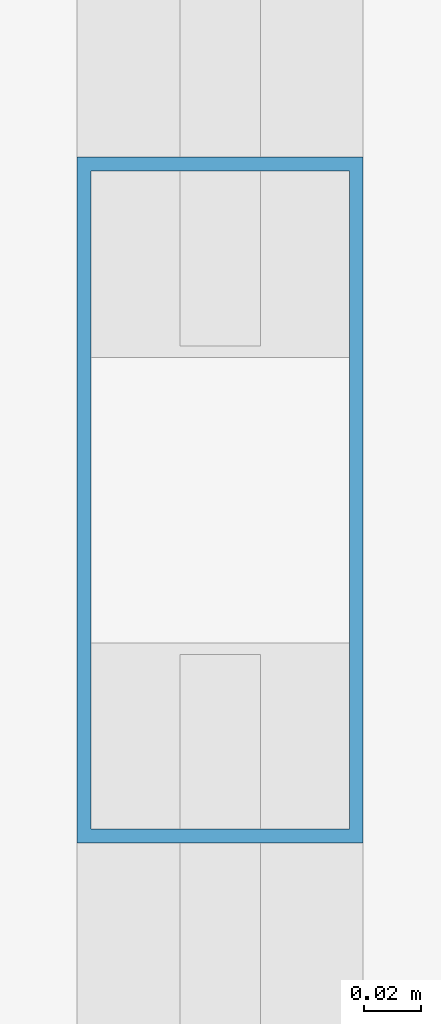
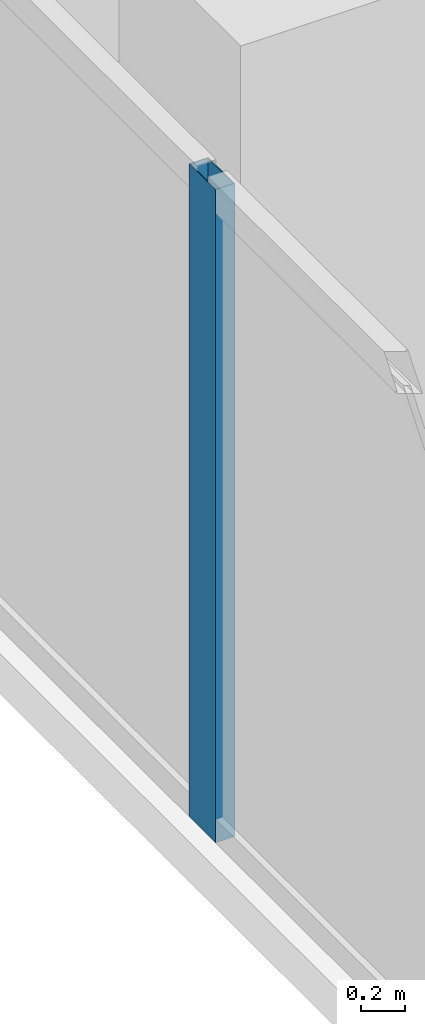
# One storey, part 8 of 27: 1 member, 1 element without a shape of its own.
"""IFC4 building model written with IfcOpenShell, lengths in metres."""

from ifc_helpers import new_model, si_unit, direction, frame, origin, origin_2d, place, context, subcontext, project, spatial, hollow_rectangle, extrude, material, layer, layer_set, material_profile, profile_set, type_object, element, aggregate, save


model = new_model("IFC4")

# Units and contexts
model_context = context("Model", 3, precision=1e-05, world=origin(), true_north=direction((0.0, 1.0)))
body_context = subcontext(model_context, "Body", "Model", "MODEL_VIEW")
ifc_project = project(units=[si_unit("LENGTHUNIT", "METRE"), si_unit("AREAUNIT", "SQUARE_METRE"), si_unit("VOLUMEUNIT", "CUBIC_METRE"), si_unit("PLANEANGLEUNIT", "RADIAN"), si_unit("MASSUNIT", "GRAM", prefix="KILO")], contexts=[model_context])

# Site, building, storey
site_placement = place(None, origin())
site = spatial("IfcSite", under=ifc_project, at=site_placement, CompositionType="ELEMENT")
building_placement = place(site_placement, origin())
building = spatial("IfcBuilding", under=site, at=building_placement, Name="Khorvyn Point Tower", CompositionType="ELEMENT")
storey_placement = place(building_placement, frame((0.0, 0.0, 152.39990234375)))
storey = spatial("IfcBuildingStorey", under=building, at=storey_placement, Name="L38", CompositionType="ELEMENT", Elevation=152.39990234375)

# Curtain wall, member
ifc_material_1 = material(Name="Anodised aluminium 6063-T6 and laminated Low-E glass", Category="aluminium")
ifc_layer = layer(ifc_material_1, 0.18994140625)
ifc_layer_set = layer_set([ifc_layer], Name="Stick-Built Acoustic Curtain Wall CW-SYS-03")
curtain_wall_type = type_object("IfcCurtainWallType", Name="Stick-Built Acoustic Curtain Wall CW-SYS-03", PredefinedType="NOTDEFINED", material=ifc_layer_set)
curtain_wall_placement = place(storey_placement, origin())
curtain_wall = element("IfcCurtainWall", 1, at=curtain_wall_placement, inside=storey, type_object=curtain_wall_type, Name="Curtain Wall", PredefinedType="NOTDEFINED")
ifc_material_2 = material(Name="Anodised aluminium 6063-T6", Category="aluminium")
ifc_material_profile = material_profile(ifc_material_2, hollow_rectangle(XDim=0.10009765625, YDim=0.239990234375, WallThickness=0.0048828125, at=origin_2d()))
ifc_profile_set = profile_set([ifc_material_profile], Name="Anodised aluminium 6063-T6 ALU-MUL-100x240")
member_type = type_object("IfcMemberType", Name="Anodised Aluminium 6063-T6 Mullion ALU-MUL-100x240", PredefinedType="MULLION", material=ifc_profile_set)
member_placement = place(storey_placement, frame((-19.75, 6.416748046875, 0.0), z_axis=(0.0, 0.0, 1.0), x_axis=(-1.0, 0.0, 0.0)))
member = element("IfcMember", 2, at=member_placement, type_object=member_type, Name="Transom", PredefinedType="MULLION", context=body_context, shape_type="SweptSolid", body=[
    extrude(hollow_rectangle(XDim=0.10009765625, YDim=0.239990234375, WallThickness=0.0048828125, at=origin_2d()), origin(), (0.0, 0.0, 1.0), 3.60009765625),
])
aggregate(curtain_wall, [member])

save(model, "model.ifc")
